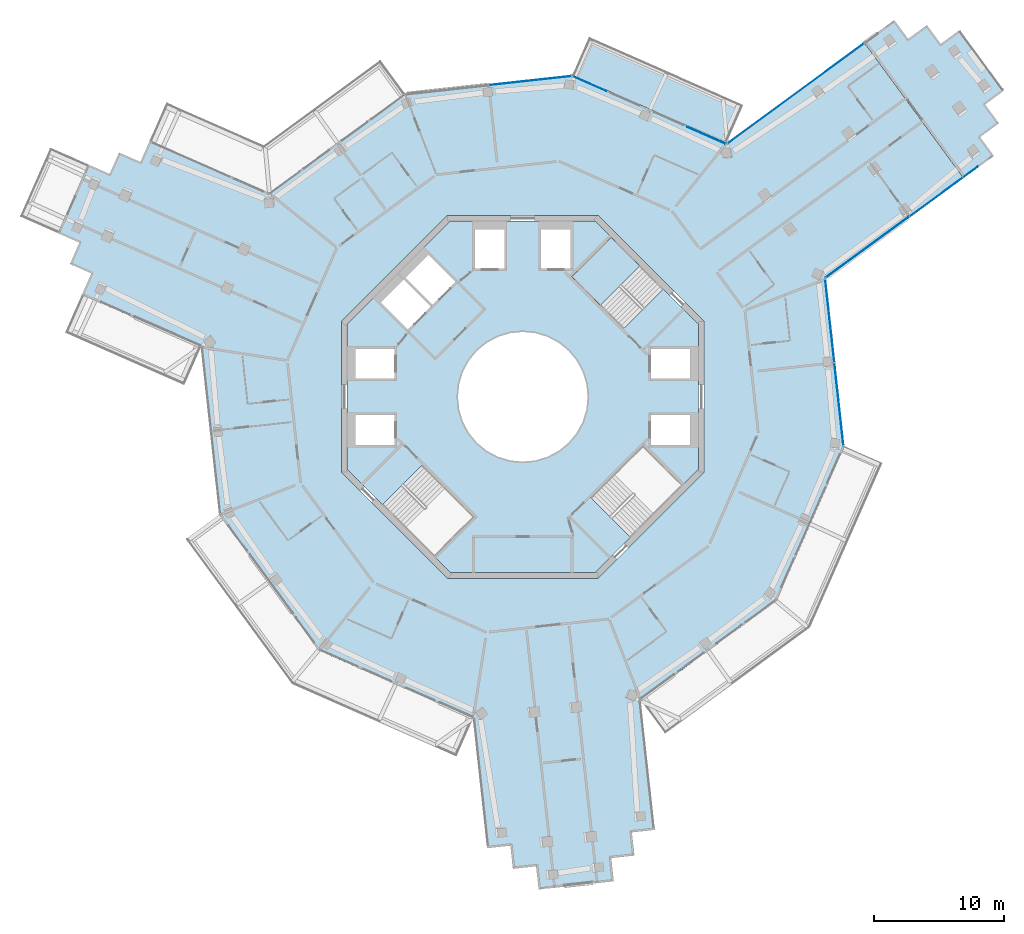
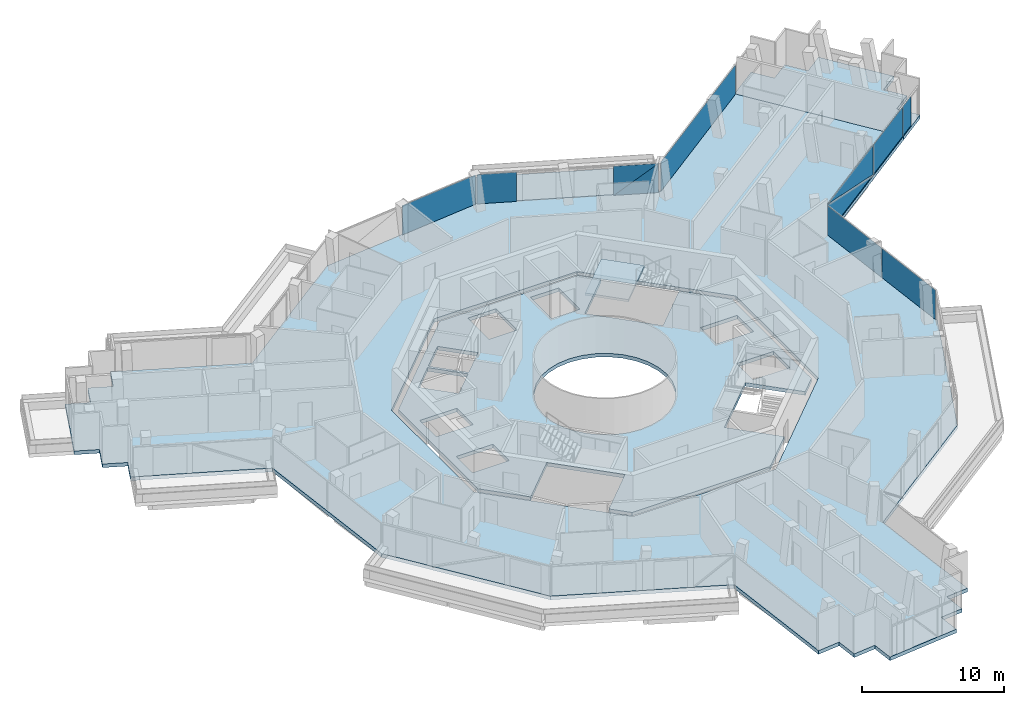
# One storey, part 14 of 24: 11 plates, 5 slabs, 6 elements without a shape of their own.
"""IFC4 building model written with IfcOpenShell, lengths in metres."""

import ifcopenshell
import ifcopenshell.guid

model = None  # the IFC model being written
_history = None  # IfcOwnerHistory: only IFC2X3 demands one
_inside = {}  # id of a spatial element -> (the spatial element, [elements in it])
_under = {}  # id of a project, library or spatial element -> (it, [spatial elements below it])
_declared = {}  # id of a project -> (the project, [libraries it declares])
_typed = {}  # id of a type object -> (the type object, [elements of that type])
_made_of = {}  # id of a material, layer set ... -> (it, [elements and type objects made of it])


def new_model(schema):
    """Start an empty IFC model of exactly this schema.

    Asked for "IFC4X3", IfcOpenShell would pick the latest addendum, in which some entities
    have other attributes; the version numbers below select the first issue.
    IFC2X3 requires an IfcOwnerHistory on every rooted entity: one is made here for all.
    """
    global model, _history
    if schema == "IFC4X3":
        model = ifcopenshell.file(schema_version=(4, 3, 0, 0))
    else:
        model = ifcopenshell.file(schema=schema)
    _inside.clear()
    _under.clear()
    _declared.clear()
    _typed.clear()
    _made_of.clear()
    _history = None
    if model.schema == "IFC2X3":
        org = make("IfcOrganization", Name="unknown")
        user = make(
            "IfcPersonAndOrganization",
            ThePerson=make("IfcPerson", FamilyName="unknown"),
            TheOrganization=org,
        )
        app = make(
            "IfcApplication",
            ApplicationDeveloper=org,
            Version="unknown",
            ApplicationFullName="unknown",
            ApplicationIdentifier="unknown",
        )
        _history = make(
            "IfcOwnerHistory",
            OwningUser=user,
            OwningApplication=app,
            ChangeAction="ADDED",
            CreationDate=0,
        )
    return model


def make(cls, **values):
    """One entity of the class cls with the attributes given. An attribute that is None is left unset."""
    return model.create_entity(
        cls, **{name: value for name, value in values.items() if value is not None}
    )


def rooted(cls, **values):
    """An entity with a GlobalId (a new one), such as an element, a storey or a relation."""
    return make(cls, GlobalId=ifcopenshell.guid.new(), OwnerHistory=_history, **values)


def si_unit(unit_type, name, prefix=None):
    """IfcSIUnit, for example si_unit("LENGTHUNIT", "METRE", prefix="MILLI")."""
    return make("IfcSIUnit", UnitType=unit_type, Prefix=prefix, Name=name)


def assignment(units):
    """IfcUnitAssignment: the units of a project."""
    return None if units is None else make("IfcUnitAssignment", Units=units)


def point(xyz):
    """IfcCartesianPoint."""
    return None if xyz is None else make("IfcCartesianPoint", Coordinates=xyz)


def direction(xyz):
    """IfcDirection."""
    return None if xyz is None else make("IfcDirection", DirectionRatios=xyz)


def frame(location, z_axis=None, x_axis=None):
    """IfcAxis2Placement3D, a coordinate frame: its origin and axes. An axis left out is left unset."""
    return make(
        "IfcAxis2Placement3D",
        Location=point(location),
        Axis=direction(z_axis),
        RefDirection=direction(x_axis),
    )


def frame_2d(location, x_axis=None):
    """IfcAxis2Placement2D, a coordinate frame in the plane: its origin and x axis."""
    return make(
        "IfcAxis2Placement2D", Location=point(location), RefDirection=direction(x_axis)
    )


def origin():
    """The frame at (0, 0, 0) with its axes left unset."""
    return frame((0.0, 0.0, 0.0))


def origin_2d():
    """The frame at (0, 0) in the plane with its x axis left unset."""
    return frame_2d((0.0, 0.0))


def place(relative_to, where):
    """IfcLocalPlacement: puts the frame where relative to a parent placement (None: the world)."""
    return make(
        "IfcLocalPlacement", PlacementRelTo=relative_to, RelativePlacement=where
    )


def context(
    kind, dimensions, precision=None, world=None, true_north=None, identifier=None
):
    """IfcGeometricRepresentationContext, for example the 3D "Model" context."""
    return make(
        "IfcGeometricRepresentationContext",
        ContextIdentifier=identifier,
        ContextType=kind,
        CoordinateSpaceDimension=dimensions,
        Precision=precision,
        WorldCoordinateSystem=world,
        TrueNorth=true_north,
    )


def subcontext(parent, identifier, kind, view, scale=None):
    """IfcGeometricRepresentationSubContext, for example "Body" below "Model"."""
    return make(
        "IfcGeometricRepresentationSubContext",
        ContextIdentifier=identifier,
        ContextType=kind,
        ParentContext=parent,
        TargetScale=scale,
        TargetView=view,
    )


def project(units=None, contexts=None):
    """IfcProject with its units and contexts."""
    return rooted(
        "IfcProject",
        Name="project",
        RepresentationContexts=contexts,
        UnitsInContext=assignment(units),
    )


def spatial(cls, under=None, at=None, **own):
    """A site, building, storey or space (cls), placed at a placement, below another one or the project."""
    s = rooted(cls, ObjectPlacement=at, **own)
    if under is not None:
        _under.setdefault(under.id(), (under, []))[1].append(s)
    return s


def polyline(points):
    """IfcPolyline through the points."""
    return make("IfcPolyline", Points=[point(p) for p in points])


def profile(cls, at=None, kind="AREA", **sizes):
    """A parametric profile (cls). Its sizes go by their IFC names, for example OverallWidth=200.0."""
    return make(cls, ProfileType=kind, Position=at, **sizes)


def rectangle(**sizes):
    """IfcRectangleProfileDef."""
    return profile("IfcRectangleProfileDef", **sizes)


def outline(outer, holes=None, kind="AREA"):
    """IfcArbitraryClosedProfileDef: a profile drawn as a closed curve; with holes, ...WithVoids."""
    if holes is None:
        return make("IfcArbitraryClosedProfileDef", ProfileType=kind, OuterCurve=outer)
    return make(
        "IfcArbitraryProfileDefWithVoids",
        ProfileType=kind,
        OuterCurve=outer,
        InnerCurves=holes,
    )


def extrude(swept, where, along, depth):
    """IfcExtrudedAreaSolid: the profile swept, set in the frame where, extruded along a direction by depth."""
    return make(
        "IfcExtrudedAreaSolid",
        SweptArea=swept,
        Position=where,
        ExtrudedDirection=direction(along),
        Depth=depth,
    )


def shape(context_of_items, identifier, shape_type, items):
    """IfcShapeRepresentation: the items that make up one representation, for example the "Body"."""
    return make(
        "IfcShapeRepresentation",
        ContextOfItems=context_of_items,
        RepresentationIdentifier=identifier,
        RepresentationType=shape_type,
        Items=items,
    )


def material(Name=None, Category=None):
    """IfcMaterial."""
    return make("IfcMaterial", Name=Name, Category=Category)


def layer(
    of_material, thickness, ventilated=None, Name=None, Category=None, Priority=None
):
    """IfcMaterialLayer: one layer of a wall or slab, of a material (None: an air gap)."""
    return make(
        "IfcMaterialLayer",
        Material=of_material,
        LayerThickness=thickness,
        IsVentilated=ventilated,
        Name=Name,
        Category=Category,
        Priority=Priority,
    )


def layer_set(layers, Name=None):
    """IfcMaterialLayerSet."""
    return make("IfcMaterialLayerSet", MaterialLayers=layers, LayerSetName=Name)


def made_of(thing, what):
    """Note that an element or type object is made of a material, layer set ...; save() writes the relation."""
    if what is not None:
        _made_of.setdefault(what.id(), (what, []))[1].append(thing)
    return thing


def type_object(cls, material=None, **own):
    """A type object (cls), such as IfcWallType, which elements share."""
    return made_of(rooted(cls, **own), material)


def element(
    cls,
    number,
    at=None,
    inside=None,
    cuts=None,
    type_object=None,
    material=None,
    context=None,
    identifier="Body",
    shape_type=None,
    held_by="IfcProductDefinitionShape",
    body=None,
    shapes=None,
    **own,
):
    """One element of the class cls, such as IfcWall. Its Tag is "e" and its number.

    at: its placement. inside: the storey or other place that contains it. cuts: it is an
    opening in that element (IfcRelVoidsElement). A single representation is given by context,
    identifier, shape_type and body (its items); several are given by shapes. held_by: the class
    of the entity that holds the representations. save() writes the other relations.
    """
    e = rooted(cls, Tag="e%d" % number, ObjectPlacement=at, **own)
    if body is not None:
        shapes = [shape(context, identifier, shape_type, body)]
    if shapes is not None:
        e.Representation = make(held_by, Representations=shapes)
    if inside is not None:
        _inside.setdefault(inside.id(), (inside, []))[1].append(e)
    if cuts is not None:
        rooted(
            "IfcRelVoidsElement", RelatingBuildingElement=cuts, RelatedOpeningElement=e
        )
    if type_object is not None:
        _typed.setdefault(type_object.id(), (type_object, []))[1].append(e)
    return made_of(e, material)


def aggregate(whole, parts):
    """IfcRelAggregates: a whole, such as a stair, and the parts it consists of."""
    return rooted("IfcRelAggregates", RelatingObject=whole, RelatedObjects=parts)


def save(model, path):
    """Write the relations noted so far, then the file.

    IfcRelAggregates (storeys below a building ...), IfcRelContainedInSpatialStructure (elements
    in a storey), IfcRelDefinesByType, IfcRelAssociatesMaterial and IfcRelDeclares: one each for
    every whole, place, type object, material and project.
    """
    for whole, parts in _under.values():
        aggregate(whole, parts)
    for where, things in _inside.values():
        rooted(
            "IfcRelContainedInSpatialStructure",
            RelatedElements=things,
            RelatingStructure=where,
        )
    for kind, things in _typed.values():
        rooted("IfcRelDefinesByType", RelatedObjects=things, RelatingType=kind)
    for what, things in _made_of.values():
        rooted("IfcRelAssociatesMaterial", RelatedObjects=things, RelatingMaterial=what)
    for by, libraries in _declared.values():
        rooted("IfcRelDeclares", RelatingContext=by, RelatedDefinitions=libraries)
    model.write(path)


model = new_model("IFC4")

# Units and contexts
model_context = context("Model", 3, precision=1e-05, world=origin(), true_north=direction((0.0, 1.0)))
body_context = subcontext(model_context, "Body", "Model", "MODEL_VIEW")
ifc_project = project(units=[si_unit("LENGTHUNIT", "METRE"), si_unit("AREAUNIT", "SQUARE_METRE"), si_unit("VOLUMEUNIT", "CUBIC_METRE"), si_unit("PLANEANGLEUNIT", "RADIAN"), si_unit("MASSUNIT", "GRAM", prefix="KILO")], contexts=[model_context])

# Site, building, storey
site_placement = place(None, origin())
site = spatial("IfcSite", under=ifc_project, at=site_placement, CompositionType="ELEMENT")
building_placement = place(site_placement, origin())
building = spatial("IfcBuilding", under=site, at=building_placement, Name="Verdalira Terraces Hotel", CompositionType="ELEMENT")
storey_placement = place(building_placement, frame((0.0, 0.0, 303.0)))
storey = spatial("IfcBuildingStorey", under=building, at=storey_placement, Name="L75", CompositionType="ELEMENT", Elevation=303.0)

# Slab
ifc_material_1 = material(Name="Precast concrete C40/50", Category="concrete")
ifc_layer_1 = layer(ifc_material_1, 0.31005859375)
ifc_layer_set_1 = layer_set([ifc_layer_1], Name="Balcony deck 310")
slab_type_1 = type_object("IfcSlabType", Name="Balcony deck 310", PredefinedType="FLOOR", material=ifc_layer_set_1)
slab_1_placement = place(storey_placement, frame((0.0, 0.0, -0.310059)))
element("IfcSlab", 1, at=slab_1_placement, inside=storey, type_object=slab_type_1, Name="Balcony deck", PredefinedType="FLOOR", context=body_context, shape_type="SweptSolid", body=[
    extrude(outline(polyline([(5.114014, 27.75), (3.824707, 24.821045), (15.7229, 19.583252), (17.012207, 22.512207), (5.114014, 27.75)])), origin(), (0.0, 0.0, 1.0), 0.310059),
])

# Curtain wall, plates
ifc_material_2 = material(Name="Clear glass", Category="glass")
ifc_layer_2 = layer(ifc_material_2, 0.14990234375)
ifc_layer_set_2 = layer_set([ifc_layer_2], Name="CW1 curtain wall")
curtain_wall_type_1 = type_object("IfcCurtainWallType", Name="CW1 curtain wall", PredefinedType="NOTDEFINED", material=ifc_layer_set_2)
curtain_wall_1_placement = place(storey_placement, origin())
curtain_wall_1 = element("IfcCurtainWall", 2, at=curtain_wall_1_placement, inside=storey, type_object=curtain_wall_type_1, Name="CW1 curtain wall L75 edge 27", PredefinedType="NOTDEFINED")
ifc_material_3 = material(Name="Clear glass", Category="glass")
ifc_layer_3 = layer(ifc_material_3, 0.028076171875)
ifc_layer_set_3 = layer_set([ifc_layer_3], Name="CW1 glass unit 28")
plate_type_1 = type_object("IfcPlateType", Name="CW1 glass unit 28", PredefinedType="CURTAIN_PANEL", material=ifc_layer_set_3)
plate_1_placement = place(storey_placement, frame((24.389404, -0.567383, 0.0), z_axis=(0.0, 0.0, 1.0), x_axis=(-0.108693378, 0.994075324, 0.0)))
plate_1 = element("IfcPlate", 3, at=plate_1_placement, type_object=plate_type_1, Name="CW1 glass unit", PredefinedType="CURTAIN_PANEL", context=body_context, shape_type="SweptSolid", body=[
    extrude(rectangle(XDim=6.369873, YDim=0.028076, at=origin_2d()), origin(), (0.0, 0.0, 1.0), 2.524902),
])
plate_2_placement = place(storey_placement, frame((23.688477, 5.844482, 0.0), z_axis=(0.0, 0.0, 1.0), x_axis=(-0.108693378, 0.994075324, 0.0)))
plate_2 = element("IfcPlate", 4, at=plate_2_placement, type_object=plate_type_1, Name="CW1 glass unit", PredefinedType="CURTAIN_PANEL", context=body_context, shape_type="SweptSolid", body=[
    extrude(rectangle(XDim=6.409912, YDim=0.028076, at=origin_2d()), origin(), (0.0, 0.0, 1.0), 2.524902),
])
aggregate(curtain_wall_1, [plate_1, plate_2])

curtain_wall_2_placement = place(storey_placement, origin())
curtain_wall_2 = element("IfcCurtainWall", 5, at=curtain_wall_2_placement, inside=storey, type_object=curtain_wall_type_1, Name="CW1 curtain wall L75 edge 39", PredefinedType="NOTDEFINED")
plate_3_placement = place(storey_placement, frame((14.172363, 20.168457, 1.262451), z_axis=(0.402906436, 0.915241173, 0.0), x_axis=(-0.915241173, 0.402906436, 0.0)))
plate_3 = element("IfcPlate", 6, at=plate_3_placement, type_object=plate_type_1, Name="CW1 glass unit", PredefinedType="CURTAIN_PANEL", context=body_context, shape_type="SweptSolid", body=[
    extrude(outline(polyline([(-1.594971, -1.262451), (1.594971, -1.262451), (-1.594971, 1.262451), (-1.594971, -1.262451)])), origin(), (0.0, 0.0, 1.0), 0.028076),
])
plate_4_placement = place(storey_placement, frame((14.160645, 20.141846, 1.262451), z_axis=(0.402906436, 0.915241173, 0.0), x_axis=(-0.915241173, 0.402906436, 0.0)))
plate_4 = element("IfcPlate", 7, at=plate_4_placement, type_object=plate_type_1, Name="CW1 glass unit", PredefinedType="CURTAIN_PANEL", context=body_context, shape_type="SweptSolid", body=[
    extrude(outline(polyline([(1.594971, -1.262451), (1.594971, 1.262451), (-1.594971, 1.262451), (1.594971, -1.262451)])), origin(), (0.0, 0.0, 1.0), 0.028076),
])
plate_5_placement = place(storey_placement, frame((5.162354, 24.150391, 0.0), z_axis=(0.0, 0.0, 1.0), x_axis=(-0.915241173, 0.402906436, 0.0)))
plate_5 = element("IfcPlate", 8, at=plate_5_placement, type_object=plate_type_1, Name="CW1 glass unit", PredefinedType="CURTAIN_PANEL", context=body_context, shape_type="SweptSolid", body=[
    extrude(rectangle(XDim=2.788574, YDim=0.028076, at=origin_2d()), origin(), (0.0, 0.0, 1.0), 2.524902),
])
aggregate(curtain_wall_2, [plate_3, plate_4, plate_5])

# Curtain wall, plate
curtain_wall_3_placement = place(storey_placement, origin())
curtain_wall_3 = element("IfcCurtainWall", 9, at=curtain_wall_3_placement, inside=storey, type_object=curtain_wall_type_1, Name="CW1 curtain wall L75 edge 40", PredefinedType="NOTDEFINED")
plate_6_placement = place(storey_placement, frame((0.567383, 24.389404, 0.0), z_axis=(0.0, 0.0, 1.0), x_axis=(-0.994075324, -0.108693378, 0.0)))
plate_6 = element("IfcPlate", 10, at=plate_6_placement, type_object=plate_type_1, Name="CW1 glass unit", PredefinedType="CURTAIN_PANEL", context=body_context, shape_type="SweptSolid", body=[
    extrude(rectangle(XDim=6.369873, YDim=0.028076, at=origin_2d()), origin(), (0.0, 0.0, 1.0), 2.524902),
])
aggregate(curtain_wall_3, [plate_6])

# Curtain wall, plates
ifc_material_4 = material(Name="Clear glass", Category="glass")
ifc_layer_4 = layer(ifc_material_4, 0.14990234375)
ifc_layer_set_4 = layer_set([ifc_layer_4], Name="CW2 curtain wall")
curtain_wall_type_2 = type_object("IfcCurtainWallType", Name="CW2 curtain wall", PredefinedType="NOTDEFINED", material=ifc_layer_set_4)
curtain_wall_4_placement = place(storey_placement, origin())
curtain_wall_4 = element("IfcCurtainWall", 11, at=curtain_wall_4_placement, inside=storey, type_object=curtain_wall_type_2, Name="CW2 curtain wall L75 edge 28", PredefinedType="NOTDEFINED")
ifc_material_5 = material(Name="Clear glass", Category="glass")
ifc_layer_5 = layer(ifc_material_5, 0.031982421875)
ifc_layer_set_5 = layer_set([ifc_layer_5], Name="CW2 glass unit 32")
plate_type_2 = type_object("IfcPlateType", Name="CW2 glass unit 32", PredefinedType="CURTAIN_PANEL", material=ifc_layer_set_5)
plate_7_placement = place(storey_placement, frame((26.60376, 11.553467, 1.262451), z_axis=(0.591168888, -0.806547795, 0.0), x_axis=(0.806547795, 0.591168888, 0.0)))
plate_7 = element("IfcPlate", 12, at=plate_7_placement, type_object=plate_type_2, Name="CW2 glass unit", PredefinedType="CURTAIN_PANEL", context=body_context, shape_type="SweptSolid", body=[
    extrude(outline(polyline([(-3.958984, -1.262451), (3.958984, -1.262451), (-3.958984, 1.262451), (-3.958984, -1.262451)])), origin(), (0.0, 0.0, 1.0), 0.031982),
])
plate_8_placement = place(storey_placement, frame((26.584229, 11.580078, 1.262451), z_axis=(0.591168888, -0.806547795, 0.0), x_axis=(0.806547795, 0.591168888, 0.0)))
plate_8 = element("IfcPlate", 13, at=plate_8_placement, type_object=plate_type_2, Name="CW2 glass unit", PredefinedType="CURTAIN_PANEL", context=body_context, shape_type="SweptSolid", body=[
    extrude(outline(polyline([(3.958984, -1.262451), (3.958984, 1.262451), (-3.958984, 1.262451), (3.958984, -1.262451)])), origin(), (0.0, 0.0, 1.0), 0.031982),
])
plate_9_placement = place(storey_placement, frame((31.89209, 15.409668, 0.0), z_axis=(0.0, 0.0, 1.0), x_axis=(0.806547795, 0.591168888, 0.0)))
plate_9 = element("IfcPlate", 14, at=plate_9_placement, type_object=plate_type_2, Name="CW2 glass unit", PredefinedType="CURTAIN_PANEL", context=body_context, shape_type="SweptSolid", body=[
    extrude(rectangle(XDim=5.032715, YDim=0.031982, at=origin_2d()), origin(), (0.0, 0.0, 1.0), 2.524902),
])
plate_10_placement = place(storey_placement, frame((34.540771, 17.351074, 0.0), z_axis=(0.0, 0.0, 1.0), x_axis=(0.806547795, 0.591168888, 0.0)))
plate_10 = element("IfcPlate", 15, at=plate_10_placement, type_object=plate_type_2, Name="CW2 glass unit", PredefinedType="CURTAIN_PANEL", context=body_context, shape_type="SweptSolid", body=[
    extrude(rectangle(XDim=1.39502, YDim=0.031982, at=origin_2d()), origin(), (0.0, 0.0, 1.0), 2.524902),
])
aggregate(curtain_wall_4, [plate_7, plate_8, plate_9, plate_10])

# Curtain wall, plate
curtain_wall_5_placement = place(storey_placement, origin())
curtain_wall_5 = element("IfcCurtainWall", 16, at=curtain_wall_5_placement, inside=storey, type_object=curtain_wall_type_2, Name="CW2 curtain wall L75 edge 38", PredefinedType="NOTDEFINED")
plate_11_placement = place(storey_placement, frame((21.074463, 23.412842, 0.0), z_axis=(0.0, 0.0, 1.0), x_axis=(-0.806547795, -0.591168888, 0.0)))
plate_11 = element("IfcPlate", 17, at=plate_11_placement, type_object=plate_type_2, Name="CW2 glass unit", PredefinedType="CURTAIN_PANEL", context=body_context, shape_type="SweptSolid", body=[
    extrude(rectangle(XDim=13.020264, YDim=0.031982, at=origin_2d()), origin(), (0.0, 0.0, 1.0), 2.524902),
])
aggregate(curtain_wall_5, [plate_11])

# Slab
ifc_material_6 = material(Name="Concrete C40", Category="concrete")
ifc_layer_6 = layer(ifc_material_6, 0.31005859375)
ifc_layer_set_6 = layer_set([ifc_layer_6], Name="Core floor slab 310 mm")
slab_type_2 = type_object("IfcSlabType", Name="Core floor slab 310 mm", PredefinedType="FLOOR", material=ifc_layer_set_6)
slab_2_placement = place(storey_placement, frame((0.0, 0.0, -0.310059)))
element("IfcSlab", 18, at=slab_2_placement, inside=storey, type_object=slab_type_2, Name="L75 core floor", PredefinedType="FLOOR", context=body_context, shape_type="SweptSolid", body=[
    extrude(outline(polyline([(-6.809326, -12.353271), (-3.719482, -9.263184), (-7.746094, -5.236572), (-10.836182, -8.326416), (-13.550049, -5.612549), (-13.550049, 5.612549), (-5.612549, 13.550049), (5.612549, 13.550049), (6.809326, 12.353271), (3.719482, 9.263184), (7.746094, 5.236572), (10.836182, 8.326416), (13.550049, 5.612549), (13.550049, -5.612549), (12.353271, -6.809326), (9.263184, -3.719482), (5.236572, -7.746094), (8.326416, -10.836182), (5.612549, -13.550049), (-5.612549, -13.550049), (-6.809326, -12.353271)]), holes=[polyline([(9.899902, -1.399902), (9.899902, -3.699951), (12.899902, -3.699951), (12.899902, -1.399902), (9.899902, -1.399902)]), polyline([(9.899902, 3.699951), (9.899902, 1.399902), (12.899902, 1.399902), (12.899902, 3.699951), (9.899902, 3.699951)]), polyline([(3.699951, 12.899902), (1.399902, 12.899902), (1.399902, 9.899902), (3.699951, 9.899902), (3.699951, 12.899902)]), polyline([(-1.399902, 12.899902), (-3.699951, 12.899902), (-3.699951, 9.899902), (-1.399902, 9.899902), (-1.399902, 12.899902)]), polyline([(-9.899902, 1.399902), (-9.899902, 3.699951), (-12.899902, 3.699951), (-12.899902, 1.399902), (-9.899902, 1.399902)]), polyline([(-9.899902, -3.699951), (-9.899902, -1.399902), (-12.899902, -1.399902), (-12.899902, -3.699951), (-9.899902, -3.699951)]), polyline([(-9.051025, 9.192383), (-6.965088, 7.106445), (-5.197266, 8.874268), (-7.283203, 10.960205), (-9.051025, 9.192383)]), polyline([(-9.192383, 9.051025), (-10.960205, 7.283203), (-8.874268, 5.197266), (-7.106445, 6.965088), (-9.192383, 9.051025)]), polyline([(3.5354, 3.5354), (2.777832, 4.157227), (1.91333, 4.619385), (0.975586, 4.903809), (0.0, 5.0), (-0.975586, 4.903809), (-1.91333, 4.619385), (-2.777832, 4.157227), (-3.5354, 3.5354), (-4.157227, 2.777832), (-4.619385, 1.91333), (-4.903809, 0.975586), (-5.0, 0.0), (-4.903809, -0.975586), (-4.619385, -1.91333), (-4.157227, -2.777832), (-3.5354, -3.5354), (-2.777832, -4.157227), (-1.91333, -4.619385), (-0.975586, -4.903809), (0.0, -5.0), (0.975586, -4.903809), (1.91333, -4.619385), (2.777832, -4.157227), (3.5354, -3.5354), (4.157227, -2.777832), (4.619385, -1.91333), (4.903809, -0.975586), (5.0, 0.0), (4.903809, 0.975586), (4.619385, 1.91333), (4.157227, 2.777832), (3.5354, 3.5354)])]), origin(), (0.0, 0.0, 1.0), 0.310059),
])

# Stair, slab
ifc_material_7 = material(Name="Concrete C40", Category="concrete")
stair_type = type_object("IfcStairType", Name="Core stair 20 risers 2125 mm wide", PredefinedType="HALF_TURN_STAIR", material=ifc_material_7)
stair_placement = place(storey_placement, origin())
stair = element("IfcStair", 19, at=stair_placement, inside=storey, type_object=stair_type, Name="L75 Exit stair ST1", PredefinedType="HALF_TURN_STAIR")
ifc_material_8 = material(Name="Concrete C40", Category="concrete")
ifc_layer_7 = layer(ifc_material_8, 0.199951171875)
ifc_layer_set_7 = layer_set([ifc_layer_7], Name="Core stair landing 200 mm")
slab_type_3 = type_object("IfcSlabType", Name="Core stair landing 200 mm", PredefinedType="LANDING", material=ifc_layer_set_7)
slab_3_placement = place(storey_placement, frame((0.0, 0.0, 1.550049)))
slab_3 = element("IfcSlab", 20, at=slab_3_placement, type_object=slab_type_3, Name="ST1 landing 1", PredefinedType="LANDING", context=body_context, shape_type="SweptSolid", body=[
    extrude(outline(polyline([(9.054932, 10.107666), (6.823486, 12.339111), (3.747559, 9.263184), (5.979004, 7.031738), (9.054932, 10.107666)])), origin(), (0.0, 0.0, 1.0), 0.199951),
])
aggregate(stair, [slab_3])

# Slabs
ifc_material_9 = material(Name="Concrete C40", Category="concrete")
ifc_layer_8 = layer(ifc_material_9, 0.31005859375)
ifc_layer_set_8 = layer_set([ifc_layer_8], Name="Floor slab 310 C40")
slab_type_4 = type_object("IfcSlabType", Name="Floor slab 310 C40", PredefinedType="FLOOR", material=ifc_layer_set_8)
slab_4_placement = place(storey_placement, frame((0.0, 0.0, -0.310059)))
element("IfcSlab", 21, at=slab_4_placement, inside=storey, type_object=slab_type_4, Name="Floor slab L75", PredefinedType="FLOOR", context=body_context, shape_type="SweptSolid", body=[
    extrude(outline(polyline([(24.821045, -3.824707), (23.408203, 9.098145), (34.01001, 16.868896), (26.324707, 27.354004), (15.7229, 19.583252), (3.824707, 24.821045), (-9.098145, 23.408203), (-19.583252, 15.7229), (-28.7771, 19.770264), (-29.502441, 18.122803), (-31.149902, 18.8479), (-31.875, 17.200684), (-33.522461, 17.925781), (-35.859375, 12.617432), (-34.211914, 11.89209), (-34.937012, 10.244629), (-33.289795, 9.519531), (-34.014893, 7.87207), (-24.821045, 3.824707), (-23.408203, -9.098145), (-15.7229, -19.583252), (-3.824707, -24.821045), (-2.73291, -34.806885), (-0.943604, -34.611084), (-0.747803, -36.400391), (1.041504, -36.204834), (1.237061, -37.994141), (7.002686, -37.36377), (6.806885, -35.574463), (8.596436, -35.378906), (8.400635, -33.5896), (10.190186, -33.393799), (9.098145, -23.408203), (19.583252, -15.7229), (24.821045, -3.824707)]), holes=[polyline([(5.799072, 14.0), (14.0, 5.799072), (14.0, -5.799072), (5.799072, -14.0), (-5.799072, -14.0), (-14.0, -5.799072), (-14.0, 5.799072), (-5.799072, 14.0), (5.799072, 14.0)])]), origin(), (0.0, 0.0, 1.0), 0.310059),
])
ifc_material_10 = material(Name="Concrete C40", Category="concrete")
ifc_layer_9 = layer(ifc_material_10, 0.31005859375)
ifc_layer_set_9 = layer_set([ifc_layer_9], Name="Loggia floor deck 310 C40")
slab_type_5 = type_object("IfcSlabType", Name="Loggia floor deck 310 C40", PredefinedType="FLOOR", material=ifc_layer_set_9)
slab_5_placement = place(storey_placement, frame((0.0, 0.0, -0.310059)))
element("IfcSlab", 22, at=slab_5_placement, inside=storey, type_object=slab_type_5, Name="Loggia deck L75", PredefinedType="FLOOR", context=body_context, shape_type="SweptSolid", body=[
    extrude(outline(polyline([(28.664307, 29.068848), (26.325195, 27.354492), (34.010498, 16.869385), (36.349365, 18.58374), (35.2854, 20.0354), (36.737061, 21.099609), (35.672852, 22.55127), (37.124756, 23.615479), (33.695801, 28.293457), (32.244141, 27.229248), (31.180176, 28.681152), (29.728271, 27.616943), (28.664307, 29.068848)])), origin(), (0.0, 0.0, 1.0), 0.310059),
])

save(model, "model.ifc")
